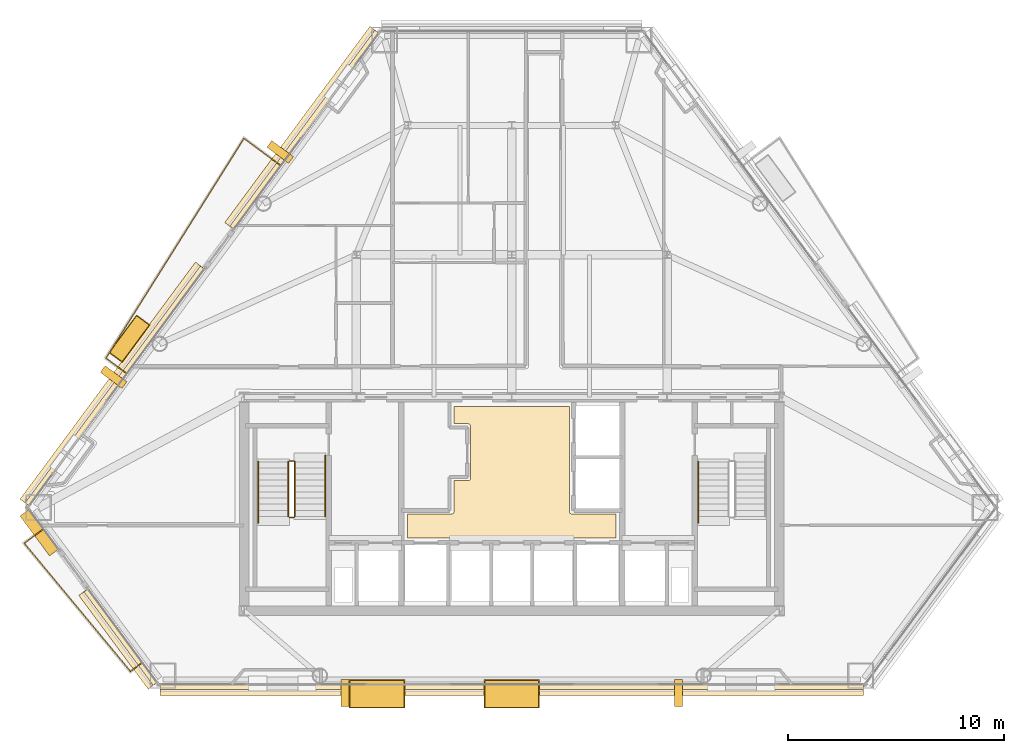
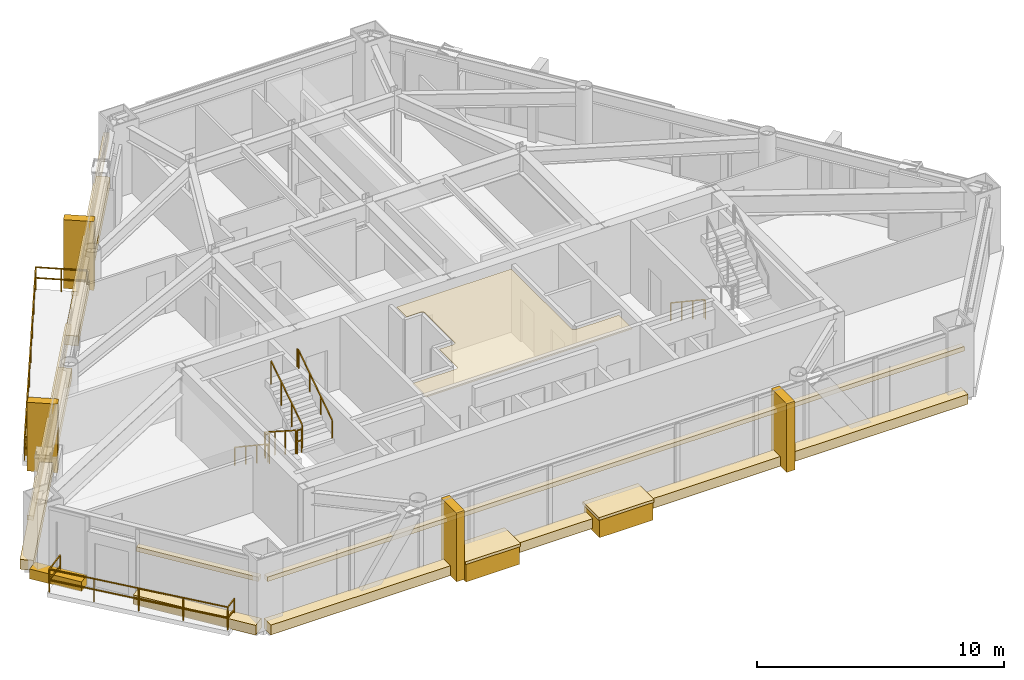
# One storey, part 11 of 13: 20 coverings, 9 railings.
"""IFC4 building model written with IfcOpenShell, lengths in metres."""

from ifc_helpers import new_model, si_unit, direction, frame, origin, origin_2d, place, context, subcontext, project, spatial, polyline, rectangle, outline, extrude, material, layer, layer_set, type_object, element, save


model = new_model("IFC4")

# Units and contexts
model_context = context("Model", 3, precision=1e-05, world=origin(), true_north=direction((0.0, 1.0)))
body_context = subcontext(model_context, "Body", "Model", "MODEL_VIEW")
ifc_project = project(units=[si_unit("LENGTHUNIT", "METRE"), si_unit("AREAUNIT", "SQUARE_METRE"), si_unit("VOLUMEUNIT", "CUBIC_METRE"), si_unit("PLANEANGLEUNIT", "RADIAN"), si_unit("MASSUNIT", "GRAM", prefix="KILO")], contexts=[model_context])

# Site, building, storey
site_placement = place(None, origin())
site = spatial("IfcSite", under=ifc_project, at=site_placement, CompositionType="ELEMENT")
building_placement = place(site_placement, origin())
building = spatial("IfcBuilding", under=site, at=building_placement, Name="Talgorran Terracotta Tower", CompositionType="ELEMENT")
storey_placement = place(building_placement, frame((0.0, 0.0, 99.60009765625)))
storey = spatial("IfcBuildingStorey", under=building, at=storey_placement, Name="L25", CompositionType="ELEMENT", Elevation=99.60009765625)

# Coverings
ifc_material_1 = material(Name="Kiln-Fired Terracotta Ochre Ceramic", Category="masonry")
ifc_layer_1 = layer(ifc_material_1, 0.179931640625, Name="COV_BAGUETTE_TERRACOTTA_SCREEN")
ifc_layer_set_1 = layer_set([ifc_layer_1], Name="Kiln-Fired Terracotta Ochre Ceramic")
covering_type_1 = type_object("IfcCoveringType", Name="COV_BAGUETTE_TERRACOTTA_SCREEN", PredefinedType="CLADDING", material=ifc_layer_set_1)
covering_1_placement = place(storey_placement, frame((-18.11865234375, -15.311279296875, 2.41015625), z_axis=(0.0, 0.0, 1.0), x_axis=(0.594920991954, -0.803784183305, 0.0)))
element("IfcCovering", 1, at=covering_1_placement, inside=storey, type_object=covering_type_1, Name="L25 Terracotta Baguette Solar Screen Assembly F11", PredefinedType="CLADDING", context=body_context, shape_type="SweptSolid", body=[
    extrude(rectangle(XDim=5.39306640625, YDim=0.260009765625, at=origin_2d()), origin(), (0.0, 0.0, 1.0), 0.219970703125),
])
covering_2_placement = place(storey_placement, frame((0.0, -17.60791015625, 2.41015625), z_axis=(0.0, 0.0, 1.0), x_axis=(1.0, 0.0, 0.0)))
element("IfcCovering", 2, at=covering_2_placement, inside=storey, type_object=covering_type_1, Name="L25 Terracotta Baguette Solar Screen Assembly F1", PredefinedType="CLADDING", context=body_context, shape_type="SweptSolid", body=[
    extrude(rectangle(XDim=32.59716796875, YDim=0.260009765625, at=origin_2d()), origin(), (0.0, 0.0, 1.0), 0.219970703125),
])
covering_3_placement = place(storey_placement, frame((-9.59814453125, 8.1923828125, 2.41015625), z_axis=(0.0, 0.0, 1.0), x_axis=(-0.594906963183, -0.803794566513, 0.0)))
element("IfcCovering", 3, at=covering_3_placement, inside=storey, type_object=covering_type_1, Name="L25 Terracotta Baguette Solar Screen Assembly F60", PredefinedType="CLADDING", context=body_context, shape_type="SweptSolid", body=[
    extrude(rectangle(XDim=11.298583984375, YDim=0.260009765625, at=origin_2d()), origin(), (0.0, 0.0, 1.0), 0.219970703125),
])
covering_4_placement = place(storey_placement, frame((-18.386962890625, -3.682373046875, 2.41015625), z_axis=(0.0, 0.0, 1.0), x_axis=(-0.594906963183, -0.803794566513, 0.0)))
element("IfcCovering", 4, at=covering_4_placement, inside=storey, type_object=covering_type_1, Name="L25 Terracotta Baguette Solar Screen Assembly F61", PredefinedType="CLADDING", context=body_context, shape_type="SweptSolid", body=[
    extrude(rectangle(XDim=13.6484375, YDim=0.260009765625, at=origin_2d()), origin(), (0.0, 0.0, 1.0), 0.219970703125),
])
ifc_material_2 = material(Name="Flush Moisture-Resistant Plaster")
ifc_layer_2 = layer(ifc_material_2, 0.01806640625, Name="COV_CEIL_PLASTER")
ifc_layer_set_2 = layer_set([ifc_layer_2], Name="Flush Moisture-Resistant Plaster")
covering_type_2 = type_object("IfcCoveringType", Name="COV_CEIL_PLASTER", PredefinedType="CEILING", material=ifc_layer_set_2)
covering_5_placement = place(storey_placement, frame((0.0, 0.0, 3.260009765625)))
element("IfcCovering", 5, at=covering_5_placement, inside=storey, type_object=covering_type_2, Name="CEIL-L25-1", PredefinedType="CEILING", context=body_context, shape_type="SweptSolid", body=[
    extrude(outline(polyline([(2.679931640625, -4.6201171875), (2.679931640625, -9.5), (2.6806640625, -9.51171875), (2.682373046875, -9.5234375), (2.685302734375, -9.534912109375), (2.689208984375, -9.5458984375), (2.694091796875, -9.556640625), (2.7001953125, -9.566650390625), (2.707275390625, -9.576171875), (2.715087890625, -9.5849609375), (2.723876953125, -9.5927734375), (2.7333984375, -9.599853515625), (2.743408203125, -9.605712890625), (2.754150390625, -9.61083984375), (2.76513671875, -9.61474609375), (2.776611328125, -9.61767578125), (2.7880859375, -9.619384765625), (2.800048828125, -9.6201171875), (4.830078125, -9.6201171875), (4.830078125, -10.72998046875), (-4.830078125, -10.72998046875), (-4.830078125, -9.6201171875), (-2.800048828125, -9.6201171875), (-2.7880859375, -9.619384765625), (-2.776611328125, -9.61767578125), (-2.76513671875, -9.61474609375), (-2.754150390625, -9.61083984375), (-2.743408203125, -9.605712890625), (-2.7333984375, -9.599853515625), (-2.723876953125, -9.5927734375), (-2.715087890625, -9.5849609375), (-2.707275390625, -9.576171875), (-2.7001953125, -9.566650390625), (-2.694091796875, -9.556640625), (-2.689208984375, -9.5458984375), (-2.685302734375, -9.534912109375), (-2.682373046875, -9.5234375), (-2.6806640625, -9.51171875), (-2.679931640625, -9.5), (-2.679931640625, -8.070068359375), (-2.02001953125, -8.070068359375), (-2.00830078125, -8.0693359375), (-1.99658203125, -8.067626953125), (-1.985107421875, -8.064697265625), (-1.97412109375, -8.060791015625), (-1.96337890625, -8.055908203125), (-1.953369140625, -8.0498046875), (-1.94384765625, -8.042724609375), (-1.93505859375, -8.034912109375), (-1.92724609375, -8.026123046875), (-1.920166015625, -8.0166015625), (-1.914306640625, -8.006591796875), (-1.9091796875, -7.995849609375), (-1.9052734375, -7.98486328125), (-1.90234375, -7.973388671875), (-1.900634765625, -7.9619140625), (-1.89990234375, -7.949951171875), (-1.89990234375, -5.550048828125), (-1.900634765625, -5.5380859375), (-1.90234375, -5.526611328125), (-1.9052734375, -5.51513671875), (-1.9091796875, -5.504150390625), (-1.914306640625, -5.493408203125), (-1.920166015625, -5.4833984375), (-1.92724609375, -5.473876953125), (-1.93505859375, -5.465087890625), (-1.94384765625, -5.457275390625), (-1.953369140625, -5.4501953125), (-1.96337890625, -5.444091796875), (-1.97412109375, -5.439208984375), (-1.985107421875, -5.435302734375), (-1.99658203125, -5.432373046875), (-2.00830078125, -5.4306640625), (-2.02001953125, -5.429931640625), (-2.679931640625, -5.429931640625), (-2.679931640625, -4.6201171875), (2.679931640625, -4.6201171875)])), origin(), (0.0, 0.0, 1.0), 0.019775390625),
])
ifc_material_3 = material(Name="Honed Limestone and Terracotta Planter", Category="masonry")
ifc_layer_3 = layer(ifc_material_3, 0.1201171875, Name="COV_PLANTER_BOX")
ifc_layer_set_3 = layer_set([ifc_layer_3], Name="Honed Limestone and Terracotta Planter")
covering_type_3 = type_object("IfcCoveringType", Name="COV_PLANTER_BOX", PredefinedType="CLADDING", material=ifc_layer_set_3)
for number, where, z_axis, x_axis, name in (
    (6, (-6.2431640625, -17.94775390625, -0.18017578125), (0.0, 0.0, 1.0), (1.0, 0.0, 0.0), "L25 Staggered South Facade Planter Box 1"),
    (7, (0.0, -17.94775390625, -0.18017578125), (0.0, 0.0, 1.0), (1.0, 0.0, 0.0), "L25 Staggered South Facade Planter Box 2"),
):
    element("IfcCovering", number, at=place(storey_placement, frame(where, z_axis=z_axis, x_axis=x_axis)), inside=storey, type_object=covering_type_3, Name=name, PredefinedType="CLADDING", context=body_context, shape_type="SweptSolid", body=[
        extrude(rectangle(XDim=2.5, YDim=1.25, at=origin_2d()), origin(), (0.0, 0.0, 1.0), 0.919921875),
    ])
covering_6_placement = place(storey_placement, frame((-17.72119140625, -1.488525390625, -0.02001953125), z_axis=(0.0, 0.0, 1.0), x_axis=(-0.594906963183, -0.803794566513, 0.0)))
element("IfcCovering", 8, at=covering_6_placement, inside=storey, type_object=covering_type_3, Name="L25 Staggered Balcony Planter Box BAL-NW", PredefinedType="CLADDING", context=body_context, shape_type="SweptSolid", body=[
    extrude(rectangle(XDim=2.10009765625, YDim=0.719970703125, at=origin_2d()), origin(), (0.0, 0.0, 1.0), 0.860107421875),
])
ifc_material_4 = material(Name="Kiln-Fired Terracotta Planter Rim", Category="masonry")
ifc_layer_4 = layer(ifc_material_4, 0.10009765625, Name="COV_PLANTER_RIM")
ifc_layer_set_4 = layer_set([ifc_layer_4], Name="Kiln-Fired Terracotta Planter Rim")
covering_type_4 = type_object("IfcCoveringType", Name="COV_PLANTER_RIM", PredefinedType="CLADDING", material=ifc_layer_set_4)
for number, where, z_axis, x_axis, name in (
    (9, (-6.2431640625, -17.94775390625, 0.7099609375), (0.0, 0.0, 1.0), (1.0, 0.0, 0.0), "L25 South Planter Terracotta Rim 1"),
    (10, (0.0, -17.94775390625, 0.7099609375), (0.0, 0.0, 1.0), (1.0, 0.0, 0.0), "L25 South Planter Terracotta Rim 2"),
):
    element("IfcCovering", number, at=place(storey_placement, frame(where, z_axis=z_axis, x_axis=x_axis)), inside=storey, type_object=covering_type_4, Name=name, PredefinedType="CLADDING", context=body_context, shape_type="SweptSolid", body=[
        extrude(rectangle(XDim=2.580078125, YDim=1.320068359375, at=origin_2d()), origin(), (0.0, 0.0, 1.0), 0.139892578125),
    ])
covering_7_placement = place(storey_placement, frame((-17.72119140625, -1.488525390625, 0.7998046875), z_axis=(0.0, 0.0, 1.0), x_axis=(-0.594906963183, -0.803794566513, 0.0)))
element("IfcCovering", 11, at=covering_7_placement, inside=storey, type_object=covering_type_4, Name="L25 Balcony Planter Terracotta Rim BAL-NW", PredefinedType="CLADDING", context=body_context, shape_type="SweptSolid", body=[
    extrude(rectangle(XDim=2.179931640625, YDim=0.780029296875, at=origin_2d()), origin(), (0.0, 0.0, 1.0), 0.1201171875),
])
ifc_material_5 = material(Name="Honed Limestone Cladding", Category="masonry")
ifc_layer_5 = layer(ifc_material_5, 0.094970703125, Name="COV_PORTAL_LIME")
ifc_layer_set_5 = layer_set([ifc_layer_5], Name="Honed Limestone Cladding")
covering_type_5 = type_object("IfcCoveringType", Name="COV_PORTAL_LIME", PredefinedType="CLADDING", material=ifc_layer_set_5)
for number, where, z_axis, x_axis, name in (
    (12, (-7.7216796875, -17.90771484375, -0.050048828125), (0.0, 0.0, 1.0), (1.0, 0.0, 0.0), "L25 White Striped Portal Fin F1-1"),
    (13, (-10.73095703125, 7.16650390625, -0.050048828125), (0.0, 0.0, 1.0), (-0.594906963183, -0.803794566513, 0.0), "L25 White Striped Portal Fin F5-1"),
):
    element("IfcCovering", number, at=place(storey_placement, frame(where, z_axis=z_axis, x_axis=x_axis)), inside=storey, type_object=covering_type_5, Name=name, PredefinedType="CLADDING", context=body_context, shape_type="SweptSolid", body=[
        extrude(rectangle(XDim=0.3798828125, YDim=1.25, at=origin_2d()), origin(), (0.0, 0.0, 1.0), 3.39990234375),
    ])
ifc_material_6 = material(Name="Kiln-Fired Terracotta Cladding", Category="masonry")
ifc_layer_6 = layer(ifc_material_6, 0.090087890625, Name="COV_PORTAL_TERRA")
ifc_layer_set_6 = layer_set([ifc_layer_6], Name="Kiln-Fired Terracotta Cladding")
covering_type_6 = type_object("IfcCoveringType", Name="COV_PORTAL_TERRA", PredefinedType="CLADDING", material=ifc_layer_set_6)
covering_8_placement = place(storey_placement, frame((-21.881591796875, -10.462646484375, -0.0400390625), z_axis=(0.0, 0.0, 1.0), x_axis=(0.594920991954, -0.803784183305, 0.0)))
element("IfcCovering", 14, at=covering_8_placement, inside=storey, type_object=covering_type_6, Name="L25 Striped Postmodern Portal Cladding Band F10", PredefinedType="CLADDING", context=body_context, shape_type="SweptSolid", body=[
    extrude(rectangle(XDim=2.298828125, YDim=0.56005859375, at=origin_2d()), origin(), (0.0, 0.0, 1.0), 0.47998046875),
])
covering_9_placement = place(storey_placement, frame((-18.231201171875, -15.394775390625, -0.0400390625), z_axis=(0.0, 0.0, 1.0), x_axis=(0.594920991954, -0.803784183305, 0.0)))
element("IfcCovering", 15, at=covering_9_placement, inside=storey, type_object=covering_type_6, Name="L25 Striped Postmodern Portal Cladding Band F11", PredefinedType="CLADDING", context=body_context, shape_type="SweptSolid", body=[
    extrude(rectangle(XDim=5.4130859375, YDim=0.56005859375, at=origin_2d()), origin(), (0.0, 0.0, 1.0), 0.47998046875),
])
covering_10_placement = place(storey_placement, frame((0.0, -17.747802734375, -0.0400390625), z_axis=(0.0, 0.0, 1.0), x_axis=(1.0, 0.0, 0.0)))
element("IfcCovering", 16, at=covering_10_placement, inside=storey, type_object=covering_type_6, Name="L25 Striped Postmodern Portal Cladding Band F1", PredefinedType="CLADDING", context=body_context, shape_type="SweptSolid", body=[
    extrude(rectangle(XDim=32.6171875, YDim=0.56005859375, at=origin_2d()), origin(), (0.0, 0.0, 1.0), 0.47998046875),
])
covering_11_placement = place(storey_placement, frame((-9.710693359375, 8.275634765625, -0.0400390625), z_axis=(0.0, 0.0, 1.0), x_axis=(-0.594906963183, -0.803794566513, 0.0)))
element("IfcCovering", 17, at=covering_11_placement, inside=storey, type_object=covering_type_6, Name="L25 Striped Postmodern Portal Cladding Band F60", PredefinedType="CLADDING", context=body_context, shape_type="SweptSolid", body=[
    extrude(rectangle(XDim=11.318603515625, YDim=0.56005859375, at=origin_2d()), origin(), (0.0, 0.0, 1.0), 0.47998046875),
])
covering_12_placement = place(storey_placement, frame((-18.49951171875, -3.59912109375, -0.0400390625), z_axis=(0.0, 0.0, 1.0), x_axis=(-0.594906963183, -0.803794566513, 0.0)))
element("IfcCovering", 18, at=covering_12_placement, inside=storey, type_object=covering_type_6, Name="L25 Striped Postmodern Portal Cladding Band F61", PredefinedType="CLADDING", context=body_context, shape_type="SweptSolid", body=[
    extrude(rectangle(XDim=13.66845703125, YDim=0.56005859375, at=origin_2d()), origin(), (0.0, 0.0, 1.0), 0.47998046875),
])
for number, where, z_axis, x_axis, name in (
    (19, (7.7216796875, -17.90771484375, -0.050048828125), (0.0, 0.0, 1.0), (1.0, 0.0, 0.0), "L25 Terracotta Striped Portal Fin F1-2"),
    (20, (-18.45263671875, -3.2666015625, -0.050048828125), (0.0, 0.0, 1.0), (-0.594906963183, -0.803794566513, 0.0), "L25 Terracotta Striped Portal Fin F5-2"),
):
    element("IfcCovering", number, at=place(storey_placement, frame(where, z_axis=z_axis, x_axis=x_axis)), inside=storey, type_object=covering_type_6, Name=name, PredefinedType="CLADDING", context=body_context, shape_type="SweptSolid", body=[
        extrude(rectangle(XDim=0.3798828125, YDim=1.25, at=origin_2d()), origin(), (0.0, 0.0, 1.0), 3.39990234375),
    ])

# Railings
ifc_material_7 = material(Name="Laminated Glass and Stainless Steel 316", Category="steel")
railing_type_1 = type_object("IfcRailingType", Name="RL_BALCONY_1150", PredefinedType="BALUSTRADE", material=ifc_material_7)
railing_1_placement = place(storey_placement, frame((-10.719482421875, 6.54296875, 0.0)))
element("IfcRailing", 21, at=railing_1_placement, inside=storey, type_object=railing_type_1, Name="RL-L25-BAL-BAL-NW", PredefinedType="BALUSTRADE", context=body_context, shape_type="SweptSolid", body=[
    extrude(rectangle(XDim=0.048095703125, YDim=0.048095703125, at=origin_2d()), frame((0.0, 0.0, 1.1259765625), z_axis=(-0.803787489943, 0.594916524406, 0.0), x_axis=(-0.594916524406, -0.803787489943, 0.0)), (0.0, 0.0, 1.0), 2.102783203125),
    extrude(rectangle(XDim=0.048095703125, YDim=0.048095703125, at=origin_2d()), frame((0.0, 0.0, 0.597900390625), z_axis=(-0.803787489943, 0.594916524406, 0.0), x_axis=(-0.594916524406, -0.803787489943, 0.0)), (0.0, 0.0, 1.0), 2.102783203125),
    extrude(rectangle(XDim=0.048095703125, YDim=0.048095703125, at=origin_2d()), frame((-1.690185546875, 1.2509765625, 1.1259765625), z_axis=(-0.531986519422, -0.846752822938, 0.0), x_axis=(0.846752822938, -0.531986519422, 0.0)), (0.0, 0.0, 1.0), 12.026123046875),
    extrude(rectangle(XDim=0.048095703125, YDim=0.048095703125, at=origin_2d()), frame((-1.690185546875, 1.2509765625, 0.597900390625), z_axis=(-0.531986519422, -0.846752822938, 0.0), x_axis=(0.846752822938, -0.531986519422, 0.0)), (0.0, 0.0, 1.0), 12.026123046875),
    extrude(rectangle(XDim=0.048095703125, YDim=0.048095703125, at=origin_2d()), frame((-8.087890625, -8.93212890625, 1.1259765625), z_axis=(0.803808467745, -0.594888180401, 0.0), x_axis=(0.594888180401, 0.803808467745, 0.0)), (0.0, 0.0, 1.0), 1.187255859375),
    extrude(rectangle(XDim=0.048095703125, YDim=0.048095703125, at=origin_2d()), frame((-8.087890625, -8.93212890625, 0.597900390625), z_axis=(0.803808467745, -0.594888180401, 0.0), x_axis=(0.594888180401, 0.803808467745, 0.0)), (0.0, 0.0, 1.0), 1.187255859375),
    extrude(rectangle(XDim=0.0419921875, YDim=0.0419921875, at=origin_2d()), origin(), (0.0, 0.0, 1.0), 1.101806640625),
    extrude(rectangle(XDim=0.0419921875, YDim=0.0419921875, at=origin_2d()), frame((-0.84521484375, 0.62548828125, 0.0)), (0.0, 0.0, 1.0), 1.101806640625),
    extrude(rectangle(XDim=0.0419921875, YDim=0.0419921875, at=origin_2d()), frame((-1.690185546875, 1.2509765625, 0.0)), (0.0, 0.0, 1.0), 1.101806640625),
    extrude(rectangle(XDim=0.0419921875, YDim=0.0419921875, at=origin_2d()), frame((-2.604248046875, -0.203857421875, 0.0)), (0.0, 0.0, 1.0), 1.101806640625),
    extrude(rectangle(XDim=0.0419921875, YDim=0.0419921875, at=origin_2d()), frame((-3.51806640625, -1.658447265625, 0.0)), (0.0, 0.0, 1.0), 1.101806640625),
    extrude(rectangle(XDim=0.0419921875, YDim=0.0419921875, at=origin_2d()), frame((-4.43212890625, -3.11328125, 0.0)), (0.0, 0.0, 1.0), 1.101806640625),
    extrude(rectangle(XDim=0.0419921875, YDim=0.0419921875, at=origin_2d()), frame((-5.345947265625, -4.56787109375, 0.0)), (0.0, 0.0, 1.0), 1.101806640625),
    extrude(rectangle(XDim=0.0419921875, YDim=0.0419921875, at=origin_2d()), frame((-6.260009765625, -6.022705078125, 0.0)), (0.0, 0.0, 1.0), 1.101806640625),
    extrude(rectangle(XDim=0.0419921875, YDim=0.0419921875, at=origin_2d()), frame((-7.173828125, -7.477294921875, 0.0)), (0.0, 0.0, 1.0), 1.101806640625),
    extrude(rectangle(XDim=0.0419921875, YDim=0.0419921875, at=origin_2d()), frame((-8.087890625, -8.93212890625, 0.0)), (0.0, 0.0, 1.0), 1.101806640625),
    extrude(rectangle(XDim=0.0419921875, YDim=0.0419921875, at=origin_2d()), frame((-7.133544921875, -9.638427734375, 0.0)), (0.0, 0.0, 1.0), 1.101806640625),
])
railing_2_placement = place(storey_placement, frame((-21.715087890625, -10.31787109375, 0.0)))
element("IfcRailing", 22, at=railing_2_placement, inside=storey, type_object=railing_type_1, Name="RL-L25-BAL-BAL-SW", PredefinedType="BALUSTRADE", context=body_context, shape_type="SweptSolid", body=[
    extrude(rectangle(XDim=0.048095703125, YDim=0.048095703125, at=origin_2d()), frame((0.0, 0.0, 1.1259765625), z_axis=(-0.80368379743, -0.595056597097, 0.0), x_axis=(0.595056597097, -0.80368379743, 0.0)), (0.0, 0.0, 1.0), 1.093017578125),
    extrude(rectangle(XDim=0.048095703125, YDim=0.048095703125, at=origin_2d()), frame((0.0, 0.0, 0.597900390625), z_axis=(-0.80368379743, -0.595056597097, 0.0), x_axis=(0.595056597097, -0.80368379743, 0.0)), (0.0, 0.0, 1.0), 1.093017578125),
    extrude(rectangle(XDim=0.048095703125, YDim=0.048095703125, at=origin_2d()), frame((-0.87841796875, -0.650390625, 1.1259765625), z_axis=(0.638054874662, -0.76999089405, 0.0), x_axis=(0.76999089405, 0.638054874662, 0.0)), (0.0, 0.0, 1.0), 7.710693359375),
    extrude(rectangle(XDim=0.048095703125, YDim=0.048095703125, at=origin_2d()), frame((-0.87841796875, -0.650390625, 0.597900390625), z_axis=(0.638054874662, -0.76999089405, 0.0), x_axis=(0.76999089405, 0.638054874662, 0.0)), (0.0, 0.0, 1.0), 7.710693359375),
    extrude(rectangle(XDim=0.048095703125, YDim=0.048095703125, at=origin_2d()), frame((4.04150390625, -6.587646484375, 1.1259765625), z_axis=(0.803827972962, 0.594861824194, 0.0), x_axis=(-0.594861824194, 0.803827972962, 0.0)), (0.0, 0.0, 1.0), 0.670654296875),
    extrude(rectangle(XDim=0.048095703125, YDim=0.048095703125, at=origin_2d()), frame((4.04150390625, -6.587646484375, 0.597900390625), z_axis=(0.803827972962, 0.594861824194, 0.0), x_axis=(-0.594861824194, 0.803827972962, 0.0)), (0.0, 0.0, 1.0), 0.670654296875),
    extrude(rectangle(XDim=0.0419921875, YDim=0.0419921875, at=origin_2d()), origin(), (0.0, 0.0, 1.0), 1.101806640625),
    extrude(rectangle(XDim=0.0419921875, YDim=0.0419921875, at=origin_2d()), frame((-0.87841796875, -0.650390625, 0.0)), (0.0, 0.0, 1.0), 1.101806640625),
    extrude(rectangle(XDim=0.0419921875, YDim=0.0419921875, at=origin_2d()), frame((0.3515625, -2.134765625, 0.0)), (0.0, 0.0, 1.0), 1.101806640625),
    extrude(rectangle(XDim=0.0419921875, YDim=0.0419921875, at=origin_2d()), frame((1.58154296875, -3.619140625, 0.0)), (0.0, 0.0, 1.0), 1.101806640625),
    extrude(rectangle(XDim=0.0419921875, YDim=0.0419921875, at=origin_2d()), frame((2.8115234375, -5.103271484375, 0.0)), (0.0, 0.0, 1.0), 1.101806640625),
    extrude(rectangle(XDim=0.0419921875, YDim=0.0419921875, at=origin_2d()), frame((4.04150390625, -6.587646484375, 0.0)), (0.0, 0.0, 1.0), 1.101806640625),
    extrude(rectangle(XDim=0.0419921875, YDim=0.0419921875, at=origin_2d()), frame((4.58056640625, -6.188720703125, 0.0)), (0.0, 0.0, 1.0), 1.101806640625),
])
ifc_material_8 = material(Name="Steel S355 (300PLUS)", Category="steel")
railing_type_2 = type_object("IfcRailingType", Name="RL_HANDRAIL_920", PredefinedType="HANDRAIL", material=ifc_material_8)
railing_3_placement = place(storey_placement, frame((-11.75, -7.199951171875, 0.179931640625)))
element("IfcRailing", 23, at=railing_3_placement, inside=storey, type_object=railing_type_2, Name="L25 ST-01 stair handrail 1", PredefinedType="HANDRAIL", context=body_context, shape_type="SweptSolid", body=[
    extrude(rectangle(XDim=0.048095703125, YDim=0.048095703125, at=origin_2d()), frame((0.0, 0.0, 0.89599609375), z_axis=(0.0, -0.832038719335, 0.554717558338), x_axis=(1.0, 0.0, 0.0)), (0.0, 0.0, 1.0), 3.244873046875),
    extrude(rectangle(XDim=0.048095703125, YDim=0.048095703125, at=origin_2d()), frame((0.0, -2.699951171875, 2.69580078125), z_axis=(0.0, -1.0, 0.0), x_axis=(1.0, 0.0, 0.0)), (0.0, 0.0, 1.0), 0.1201171875),
    extrude(rectangle(XDim=0.0419921875, YDim=0.0419921875, at=origin_2d()), origin(), (0.0, 0.0, 1.0), 0.871826171875),
    extrude(rectangle(XDim=0.0419921875, YDim=0.0419921875, at=origin_2d()), frame((0.0, -0.89990234375, 0.60009765625)), (0.0, 0.0, 1.0), 0.871826171875),
    extrude(rectangle(XDim=0.0419921875, YDim=0.0419921875, at=origin_2d()), frame((0.0, -1.800048828125, 1.199951171875)), (0.0, 0.0, 1.0), 0.871826171875),
    extrude(rectangle(XDim=0.0419921875, YDim=0.0419921875, at=origin_2d()), frame((0.0, -2.699951171875, 1.800048828125)), (0.0, 0.0, 1.0), 0.871826171875),
    extrude(rectangle(XDim=0.0419921875, YDim=0.0419921875, at=origin_2d()), frame((0.0, -2.820068359375, 1.800048828125)), (0.0, 0.0, 1.0), 0.871826171875),
])
railing_4_placement = place(storey_placement, frame((-8.64990234375, -9.719970703125, 1.97998046875)))
element("IfcRailing", 24, at=railing_4_placement, inside=storey, type_object=railing_type_2, Name="L25 ST-01 stair handrail 2", PredefinedType="HANDRAIL", context=body_context, shape_type="SweptSolid", body=[
    extrude(rectangle(XDim=0.048095703125, YDim=0.048095703125, at=origin_2d()), frame((0.0, 0.0, 0.89599609375), z_axis=(0.0, 0.832073444223, 0.554665469827), x_axis=(-1.0, 0.0, 0.0)), (0.0, 0.0, 1.0), 3.244873046875),
    extrude(rectangle(XDim=0.048095703125, YDim=0.048095703125, at=origin_2d()), frame((0.0, 2.699951171875, 2.69580078125), z_axis=(0.0, 1.0, 0.0), x_axis=(-1.0, 0.0, 0.0)), (0.0, 0.0, 1.0), 0.1201171875),
    extrude(rectangle(XDim=0.0419921875, YDim=0.0419921875, at=origin_2d()), origin(), (0.0, 0.0, 1.0), 0.871826171875),
    extrude(rectangle(XDim=0.0419921875, YDim=0.0419921875, at=origin_2d()), frame((0.0, 0.89990234375, 0.599853515625)), (0.0, 0.0, 1.0), 0.871826171875),
    extrude(rectangle(XDim=0.0419921875, YDim=0.0419921875, at=origin_2d()), frame((0.0, 1.800048828125, 1.199951171875)), (0.0, 0.0, 1.0), 0.871826171875),
    extrude(rectangle(XDim=0.0419921875, YDim=0.0419921875, at=origin_2d()), frame((0.0, 2.699951171875, 1.7998046875)), (0.0, 0.0, 1.0), 0.871826171875),
    extrude(rectangle(XDim=0.0419921875, YDim=0.0419921875, at=origin_2d()), frame((0.0, 2.820068359375, 1.7998046875)), (0.0, 0.0, 1.0), 0.871826171875),
])
railing_5_placement = place(storey_placement, frame((8.64990234375, -7.199951171875, 0.179931640625)))
element("IfcRailing", 25, at=railing_5_placement, inside=storey, type_object=railing_type_2, Name="L25 ST-02 stair handrail 1", PredefinedType="HANDRAIL", context=body_context, shape_type="SweptSolid", body=[
    extrude(rectangle(XDim=0.048095703125, YDim=0.048095703125, at=origin_2d()), frame((0.0, 0.0, 0.89599609375), z_axis=(0.0, -0.832038719335, 0.554717558338), x_axis=(1.0, 0.0, 0.0)), (0.0, 0.0, 1.0), 3.244873046875),
    extrude(rectangle(XDim=0.048095703125, YDim=0.048095703125, at=origin_2d()), frame((0.0, -2.699951171875, 2.69580078125), z_axis=(0.0, -1.0, 0.0), x_axis=(1.0, 0.0, 0.0)), (0.0, 0.0, 1.0), 0.1201171875),
    extrude(rectangle(XDim=0.0419921875, YDim=0.0419921875, at=origin_2d()), origin(), (0.0, 0.0, 1.0), 0.871826171875),
    extrude(rectangle(XDim=0.0419921875, YDim=0.0419921875, at=origin_2d()), frame((0.0, -0.89990234375, 0.60009765625)), (0.0, 0.0, 1.0), 0.871826171875),
    extrude(rectangle(XDim=0.0419921875, YDim=0.0419921875, at=origin_2d()), frame((0.0, -1.800048828125, 1.199951171875)), (0.0, 0.0, 1.0), 0.871826171875),
    extrude(rectangle(XDim=0.0419921875, YDim=0.0419921875, at=origin_2d()), frame((0.0, -2.699951171875, 1.800048828125)), (0.0, 0.0, 1.0), 0.871826171875),
    extrude(rectangle(XDim=0.0419921875, YDim=0.0419921875, at=origin_2d()), frame((0.0, -2.820068359375, 1.800048828125)), (0.0, 0.0, 1.0), 0.871826171875),
])
railing_type_3 = type_object("IfcRailingType", Name="RL_STAIR_GUARD", PredefinedType="GUARDRAIL", material=ifc_material_8)
railing_6_placement = place(storey_placement, frame((-10.35009765625, -7.199951171875, 0.179931640625)))
element("IfcRailing", 26, at=railing_6_placement, inside=storey, type_object=railing_type_3, Name="L25 ST-01 stair guard 1", PredefinedType="GUARDRAIL", context=body_context, shape_type="SweptSolid", body=[
    extrude(rectangle(XDim=0.048095703125, YDim=0.048095703125, at=origin_2d()), frame((0.0, 0.0, 1.15576171875), z_axis=(0.0, -0.841199657755, 0.540724639528), x_axis=(1.0, 0.0, 0.0)), (0.0, 0.0, 1.0), 2.995849609375),
    extrude(rectangle(XDim=0.0419921875, YDim=0.0419921875, at=origin_2d()), origin(), (0.0, 0.0, 1.0), 1.1318359375),
    extrude(rectangle(XDim=0.0419921875, YDim=0.0419921875, at=origin_2d()), frame((0.0, -0.840087890625, 0.5400390625)), (0.0, 0.0, 1.0), 1.1318359375),
    extrude(rectangle(XDim=0.0419921875, YDim=0.0419921875, at=origin_2d()), frame((0.0, -1.679931640625, 1.079833984375)), (0.0, 0.0, 1.0), 1.1318359375),
    extrude(rectangle(XDim=0.0419921875, YDim=0.0419921875, at=origin_2d()), frame((0.0, -2.52001953125, 1.619873046875)), (0.0, 0.0, 1.0), 1.1318359375),
])
railing_7_placement = place(storey_placement, frame((-10.300048828125, -9.77001953125, 1.7998046875)))
element("IfcRailing", 27, at=railing_7_placement, inside=storey, type_object=railing_type_3, Name="L25 ST-01 stair guard 2", PredefinedType="GUARDRAIL", context=body_context, shape_type="SweptSolid", body=[
    extrude(rectangle(XDim=0.048095703125, YDim=0.048095703125, at=origin_2d()), frame((0.0, 0.0, 1.15576171875), z_axis=(1.0, 0.0, 0.0), x_axis=(0.0, 1.0, 0.0)), (0.0, 0.0, 1.0), 0.199951171875),
    extrude(rectangle(XDim=0.048095703125, YDim=0.048095703125, at=origin_2d()), frame((0.0, 0.0, 0.613525390625), z_axis=(1.0, 0.0, 0.0), x_axis=(0.0, 1.0, 0.0)), (0.0, 0.0, 1.0), 0.199951171875),
    extrude(rectangle(XDim=0.0419921875, YDim=0.0419921875, at=origin_2d()), origin(), (0.0, 0.0, 1.0), 1.1318359375),
    extrude(rectangle(XDim=0.0419921875, YDim=0.0419921875, at=origin_2d()), frame((0.199951171875, 0.0, 0.0)), (0.0, 0.0, 1.0), 1.1318359375),
])
railing_8_placement = place(storey_placement, frame((-10.050048828125, -9.719970703125, 1.97998046875)))
element("IfcRailing", 28, at=railing_8_placement, inside=storey, type_object=railing_type_3, Name="L25 ST-01 stair guard 3", PredefinedType="GUARDRAIL", context=body_context, shape_type="SweptSolid", body=[
    extrude(rectangle(XDim=0.048095703125, YDim=0.048095703125, at=origin_2d()), frame((0.0, 0.0, 1.15576171875), z_axis=(0.0, 0.841199657755, 0.540724639528), x_axis=(-1.0, 0.0, 0.0)), (0.0, 0.0, 1.0), 2.995849609375),
    extrude(rectangle(XDim=0.0419921875, YDim=0.0419921875, at=origin_2d()), origin(), (0.0, 0.0, 1.0), 1.1318359375),
    extrude(rectangle(XDim=0.0419921875, YDim=0.0419921875, at=origin_2d()), frame((0.0, 0.840087890625, 0.5400390625)), (0.0, 0.0, 1.0), 1.1318359375),
    extrude(rectangle(XDim=0.0419921875, YDim=0.0419921875, at=origin_2d()), frame((0.0, 1.679931640625, 1.079833984375)), (0.0, 0.0, 1.0), 1.1318359375),
    extrude(rectangle(XDim=0.0419921875, YDim=0.0419921875, at=origin_2d()), frame((0.0, 2.52001953125, 1.619873046875)), (0.0, 0.0, 1.0), 1.1318359375),
])
railing_9_placement = place(storey_placement, frame((-10.300048828125, -7.14990234375, 0.0)))
element("IfcRailing", 29, at=railing_9_placement, inside=storey, type_object=railing_type_3, Name="L25 ST-01 stair guard 4", PredefinedType="GUARDRAIL", context=body_context, shape_type="SweptSolid", body=[
    extrude(rectangle(XDim=0.048095703125, YDim=0.048095703125, at=origin_2d()), frame((0.0, 0.0, 1.15576171875), z_axis=(1.0, 0.0, 0.0), x_axis=(0.0, 1.0, 0.0)), (0.0, 0.0, 1.0), 0.199951171875),
    extrude(rectangle(XDim=0.048095703125, YDim=0.048095703125, at=origin_2d()), frame((0.0, 0.0, 0.613525390625), z_axis=(1.0, 0.0, 0.0), x_axis=(0.0, 1.0, 0.0)), (0.0, 0.0, 1.0), 0.199951171875),
    extrude(rectangle(XDim=0.0419921875, YDim=0.0419921875, at=origin_2d()), origin(), (0.0, 0.0, 1.0), 1.1318359375),
    extrude(rectangle(XDim=0.0419921875, YDim=0.0419921875, at=origin_2d()), frame((0.199951171875, 0.0, 0.0)), (0.0, 0.0, 1.0), 1.1318359375),
])

save(model, "model.ifc")
